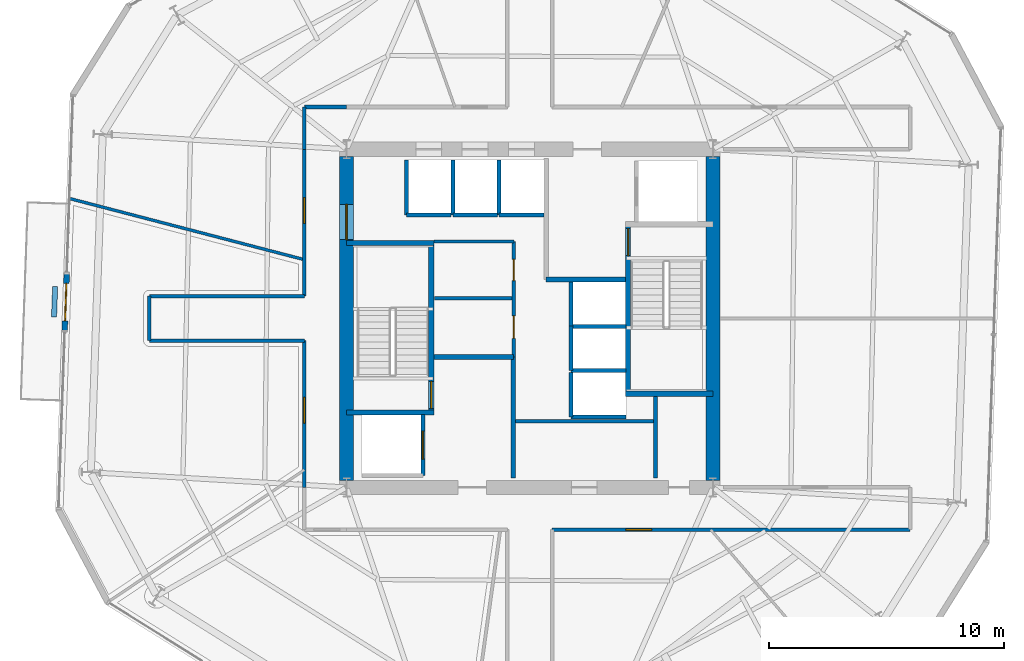
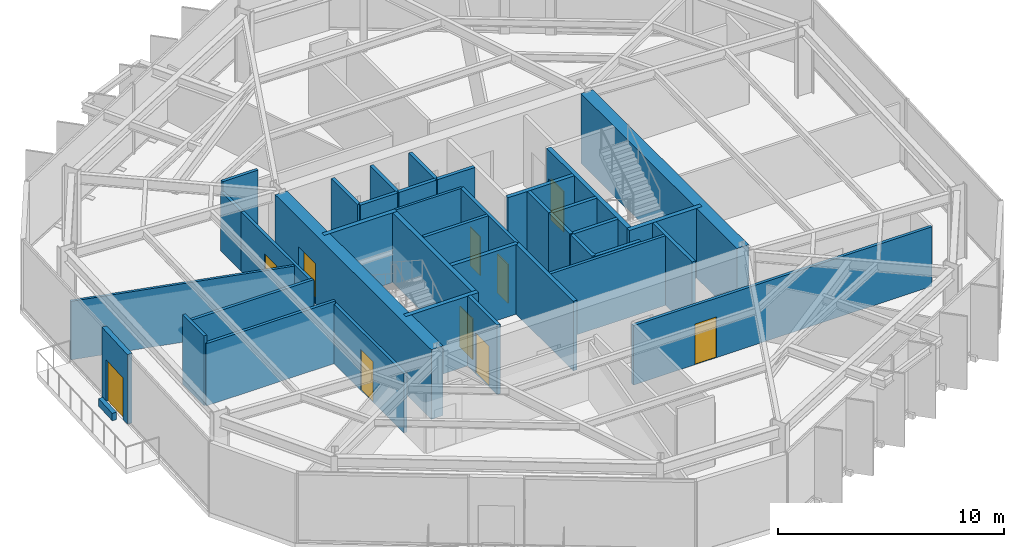
# One storey, part 7 of 12: 39 walls, 10 doors, 10 openings.
"""IFC4 building model written with IfcOpenShell, lengths in metres."""

from ifc_helpers import new_model, si_unit, direction, frame, frame_2d, origin, place, context, subcontext, project, spatial, rectangle, extrude, material, layer, layer_set, type_object, element, fill, save


model = new_model("IFC4")

# Units and contexts
model_context = context("Model", 3, precision=1e-05, world=origin(), true_north=direction((0.0, 1.0)))
body_context = subcontext(model_context, "Body", "Model", "MODEL_VIEW")
ifc_project = project(units=[si_unit("LENGTHUNIT", "METRE"), si_unit("AREAUNIT", "SQUARE_METRE"), si_unit("VOLUMEUNIT", "CUBIC_METRE"), si_unit("PLANEANGLEUNIT", "RADIAN"), si_unit("MASSUNIT", "GRAM", prefix="KILO")], contexts=[model_context])

# Site, building, storey
site_placement = place(None, origin())
site = spatial("IfcSite", under=ifc_project, at=site_placement, CompositionType="ELEMENT")
building_placement = place(site_placement, origin())
building = spatial("IfcBuilding", under=site, at=building_placement, Name="Kranzbogen Civic Tower", CompositionType="ELEMENT")
storey_placement = place(building_placement, frame((0.0, 0.0, 134.39990234375)))
storey = spatial("IfcBuildingStorey", under=building, at=storey_placement, Name="L32", CompositionType="ELEMENT", Elevation=134.39990234375)

# Wall
ifc_material_1 = material(Name="Double-Stud Acoustic Gypsum Partition")
ifc_layer_1 = layer(ifc_material_1, 0.14990234375, Name="Double-Stud Acoustic Gypsum Partition")
ifc_layer_set_1 = layer_set([ifc_layer_1], Name="Double-Stud Acoustic Gypsum Partition")
wall_type_1 = type_object("IfcWallType", Name="Acoustic Corridor and Clinical Partition 150 mm", PredefinedType="PARTITIONING", material=ifc_layer_set_1)
wall_1_placement = place(storey_placement, frame((24.39990234375, 20.610107421875, 0.0), z_axis=(0.0, 0.0, 1.0), x_axis=(1.0, 0.0, 0.0)))
element("IfcWall", 1, at=wall_1_placement, inside=storey, type_object=wall_type_1, Name="L32 records zone North wall", PredefinedType="PARTITIONING", context=body_context, shape_type="SweptSolid", body=[
    extrude(rectangle(XDim=5.900146484375, YDim=0.14990234375, at=frame_2d((2.9501953125, 0.0))), origin(), (0.0, 0.0, 1.0), 3.760009765625),
])

# Wall, opening, door
wall_2_placement = place(storey_placement, frame((15.39990234375, 17.800048828125, 0.0), z_axis=(0.0, 0.0, 1.0), x_axis=(0.0, 1.0, 0.0)))
wall_2 = element("IfcWall", 2, at=wall_2_placement, inside=storey, type_object=wall_type_1, Name="L32 corridor partition 03", PredefinedType="PARTITIONING", context=body_context, shape_type="SweptSolid", body=[
    extrude(rectangle(XDim=6.25, YDim=0.14990234375, at=frame_2d((3.125, 0.0))), origin(), (0.0, 0.0, 1.0), 3.210205078125),
])
opening_1_placement = place(wall_2_placement, frame((2.737060546875, 0.0, 0.0)))
opening_1 = element("IfcOpeningElement", 3, at=opening_1_placement, cuts=wall_2, Name="Opening D-COR60", PredefinedType="OPENING", context=body_context, shape_type="SweptSolid", body=[
    extrude(rectangle(XDim=1.10009765625, YDim=2.199951171875, at=frame_2d((0.550048828125, 1.10009765625))), frame((0.0, 0.0849609375, 0.0), z_axis=(0.0, -1.0, 0.0), x_axis=(1.0, 0.0, 0.0)), (0.0, 0.0, 1.0), 0.169921875),
])
ifc_material_2 = material(Name="Oak Timber and Fire Core", Category="wood")
door_type_1 = type_object("IfcDoorType", Name="Corridor Acoustic Fire Door 1100x2200", OperationType="NOTDEFINED", PredefinedType="DOOR", material=ifc_material_2)
door_1_placement = place(opening_1_placement, origin())
door_1 = element("IfcDoor", 4, at=door_1_placement, inside=storey, type_object=door_type_1, Name="L32 Executive Briefing Conference Room door", OperationType="SINGLE_SWING_LEFT", OverallHeight=2.199951171875, OverallWidth=1.10009765625, PredefinedType="DOOR", context=body_context, shape_type="SweptSolid", body=[
    extrude(rectangle(XDim=1.10009765625, YDim=2.199951171875, at=frame_2d((0.550048828125, 1.10009765625))), frame((0.0, 0.02490234375, 0.0), z_axis=(0.0, -1.0, 0.0), x_axis=(1.0, 0.0, 0.0)), (0.0, 0.0, 1.0), 0.050048828125),
])
fill(opening_1, door_1)

# Walls
wall_3_placement = place(storey_placement, frame((15.39990234375, 24.050048828125, 0.0), z_axis=(0.0, 0.0, 1.0), x_axis=(-1.0, 0.0, 0.0)))
element("IfcWall", 5, at=wall_3_placement, inside=storey, type_object=wall_type_1, Name="L32 corridor partition 04", PredefinedType="PARTITIONING", context=body_context, shape_type="SweptSolid", body=[
    extrude(rectangle(XDim=6.599853515625, YDim=0.14990234375, at=frame_2d((3.2998046875, 0.0))), origin(), (0.0, 0.0, 1.0), 3.360107421875),
])
wall_4_placement = place(storey_placement, frame((8.800048828125, 24.050048828125, 0.0), z_axis=(0.0, 0.0, 1.0), x_axis=(0.0, 1.0, 0.0)))
element("IfcWall", 6, at=wall_4_placement, inside=storey, type_object=wall_type_1, Name="L32 corridor partition 05", PredefinedType="PARTITIONING", context=body_context, shape_type="SweptSolid", body=[
    extrude(rectangle(XDim=1.89990234375, YDim=0.14990234375, at=frame_2d((0.949951171875, 0.0))), origin(), (0.0, 0.0, 1.0), 3.760009765625),
])
wall_5_placement = place(storey_placement, frame((8.800048828125, 25.949951171875, 0.0), z_axis=(0.0, 0.0, 1.0), x_axis=(1.0, 0.0, 0.0)))
element("IfcWall", 7, at=wall_5_placement, inside=storey, type_object=wall_type_1, Name="L32 corridor partition 06", PredefinedType="PARTITIONING", context=body_context, shape_type="SweptSolid", body=[
    extrude(rectangle(XDim=6.599853515625, YDim=0.14990234375, at=frame_2d((3.2998046875, 0.0))), origin(), (0.0, 0.0, 1.0), 3.360107421875),
])

# Wall, opening, door
wall_6_placement = place(storey_placement, frame((15.39990234375, 25.949951171875, 0.0), z_axis=(0.0, 0.0, 1.0), x_axis=(0.0, 1.0, 0.0)))
wall_6 = element("IfcWall", 8, at=wall_6_placement, inside=storey, type_object=wall_type_1, Name="L32 corridor partition 07", PredefinedType="PARTITIONING", context=body_context, shape_type="SweptSolid", body=[
    extrude(rectangle(XDim=6.25, YDim=0.14990234375, at=frame_2d((3.125, 0.0))), origin(), (0.0, 0.0, 1.0), 3.210205078125),
])
opening_2_placement = place(wall_6_placement, frame((3.089111328125, 0.0, 0.0)))
opening_2 = element("IfcOpeningElement", 9, at=opening_2_placement, cuts=wall_6, Name="Opening D-COR60", PredefinedType="OPENING", context=body_context, shape_type="SweptSolid", body=[
    extrude(rectangle(XDim=1.10009765625, YDim=2.199951171875, at=frame_2d((0.550048828125, 1.10009765625))), frame((0.0, 0.0849609375, 0.0), z_axis=(0.0, -1.0, 0.0), x_axis=(1.0, 0.0, 0.0)), (0.0, 0.0, 1.0), 0.169921875),
])
door_2_placement = place(opening_2_placement, origin())
door_2 = element("IfcDoor", 10, at=door_2_placement, inside=storey, type_object=door_type_1, Name="L32 Citizen Services Kiosk door", OperationType="SINGLE_SWING_LEFT", OverallHeight=2.199951171875, OverallWidth=1.10009765625, PredefinedType="DOOR", context=body_context, shape_type="SweptSolid", body=[
    extrude(rectangle(XDim=1.10009765625, YDim=2.199951171875, at=frame_2d((0.550048828125, 1.10009765625))), frame((0.0, 0.02490234375, 0.0), z_axis=(0.0, -1.0, 0.0), x_axis=(1.0, 0.0, 0.0)), (0.0, 0.0, 1.0), 0.050048828125),
])
fill(opening_2, door_2)

# Walls
wall_7_placement = place(storey_placement, frame((15.39990234375, 32.199951171875, 0.0), z_axis=(0.0, 0.0, 1.0), x_axis=(0.0, 1.0, 0.0)))
element("IfcWall", 11, at=wall_7_placement, inside=storey, type_object=wall_type_1, Name="L32 corridor partition 08", PredefinedType="PARTITIONING", context=body_context, shape_type="SweptSolid", body=[
    extrude(rectangle(XDim=1.800048828125, YDim=0.14990234375, at=frame_2d((0.89990234375, 0.0))), origin(), (0.0, 0.0, 1.0), 3.210205078125),
])
wall_8_placement = place(storey_placement, frame((15.39990234375, 34.0, 0.0), z_axis=(0.0, 0.0, 1.0), x_axis=(1.0, 0.0, 0.0)))
element("IfcWall", 12, at=wall_8_placement, inside=storey, type_object=wall_type_1, Name="L32 corridor partition 09", PredefinedType="PARTITIONING", context=body_context, shape_type="SweptSolid", body=[
    extrude(rectangle(XDim=1.800048828125, YDim=0.14990234375, at=frame_2d((0.89990234375, 0.0))), origin(), (0.0, 0.0, 1.0), 3.760009765625),
])

# Wall, opening, door
wall_9_placement = place(storey_placement, frame((41.199951171875, 16.0, 0.0), z_axis=(0.0, 0.0, 1.0), x_axis=(-1.0, 0.0, 0.0)))
wall_9 = element("IfcWall", 13, at=wall_9_placement, inside=storey, type_object=wall_type_1, Name="L32 corridor partition 19", PredefinedType="PARTITIONING", context=body_context, shape_type="SweptSolid", body=[
    extrude(rectangle(XDim=15.25, YDim=0.14990234375, at=frame_2d((7.625, 0.0))), origin(), (0.0, 0.0, 1.0), 3.210205078125),
])
opening_3_placement = place(wall_9_placement, frame((11.010009765625, 0.0, 0.0)))
opening_3 = element("IfcOpeningElement", 14, at=opening_3_placement, cuts=wall_9, Name="Opening D-COR60", PredefinedType="OPENING", context=body_context, shape_type="SweptSolid", body=[
    extrude(rectangle(XDim=1.10009765625, YDim=2.199951171875, at=frame_2d((0.550048828125, 1.10009765625))), frame((0.0, 0.0849609375, 0.0), z_axis=(0.0, -1.0, 0.0), x_axis=(1.0, 0.0, 0.0)), (0.0, 0.0, 1.0), 0.169921875),
])
door_3_placement = place(opening_3_placement, origin())
door_3 = element("IfcDoor", 15, at=door_3_placement, inside=storey, type_object=door_type_1, Name="L32 Policy Seminar Room door", OperationType="SINGLE_SWING_LEFT", OverallHeight=2.199951171875, OverallWidth=1.10009765625, PredefinedType="DOOR", context=body_context, shape_type="SweptSolid", body=[
    extrude(rectangle(XDim=1.10009765625, YDim=2.199951171875, at=frame_2d((0.550048828125, 1.10009765625))), frame((0.0, 0.02490234375, 0.0), z_axis=(0.0, -1.0, 0.0), x_axis=(1.0, 0.0, 0.0)), (0.0, 0.0, 1.0), 0.050048828125),
])
fill(opening_3, door_3)

# Walls
ifc_material_3 = material(Name="Insulated Metal-Stud Gypsum Partition")
ifc_layer_2 = layer(ifc_material_3, 0.125, Name="Insulated Metal-Stud Gypsum Partition")
ifc_layer_set_2 = layer_set([ifc_layer_2], Name="Insulated Metal-Stud Gypsum Partition")
wall_type_2 = type_object("IfcWallType", Name="Acoustic Inter-Room Partition 125 mm", PredefinedType="PARTITIONING", material=ifc_layer_set_2)
wall_10_placement = place(storey_placement, frame((20.919921875, 28.280029296875, 0.0), z_axis=(0.0, 0.0, 1.0), x_axis=(1.0, 0.0, 0.0)))
element("IfcWall", 16, at=wall_10_placement, inside=storey, type_object=wall_type_2, Name="L32 core auxiliary North wall", PredefinedType="PARTITIONING", context=body_context, shape_type="SweptSolid", body=[
    extrude(rectangle(XDim=3.405029296875, YDim=0.125, at=frame_2d((1.70263671875, 0.0))), origin(), (0.0, 0.0, 1.0), 3.760009765625),
])
wall_11_placement = place(storey_placement, frame((15.39990234375, 27.4990234375, 0.0), z_axis=(0.0, 0.0, 1.0), x_axis=(-0.96772970211, 0.251990522945, 0.0)))
element("IfcWall", 17, at=wall_11_placement, inside=storey, type_object=wall_type_2, Name="L32 radial room partition 03", PredefinedType="PARTITIONING", context=body_context, shape_type="SweptSolid", body=[
    extrude(rectangle(XDim=10.322021484375, YDim=0.125, at=frame_2d((5.1611328125, 0.0))), origin(), (0.0, 0.0, 1.0), 3.16015625),
])
ifc_material_4 = material(Name="Architectural Precast Terracotta Concrete C40/50", Category="masonry")
ifc_layer_3 = layer(ifc_material_4, 0.219970703125, Name="Architectural Precast Terracotta Concrete C40/50")
ifc_layer_set_3 = layer_set([ifc_layer_3], Name="Architectural Precast Terracotta Concrete C40/50")
wall_type_3 = type_object("IfcWallType", Name="Architectural Tree Planter Kerb Wall 220 mm", PredefinedType="USERDEFINED", material=ifc_layer_set_3)
wall_12_placement = place(storey_placement, frame((4.7890625, 26.35693359375, 0.0), z_axis=(0.0, 0.0, 1.0), x_axis=(-0.035470622719, -0.999370719465, 0.0)))
element("IfcWall", 18, at=wall_12_placement, inside=storey, type_object=wall_type_3, Name="L32 landscaped tree balcony planter L32-ST", ObjectType="PLANTER_WALL", PredefinedType="USERDEFINED", context=body_context, shape_type="SweptSolid", body=[
    extrude(rectangle(XDim=1.30078125, YDim=0.219970703125, at=frame_2d((0.650390625, 0.0))), origin(), (0.0, 0.0, 1.0), 0.400146484375),
])

# Wall, opening, door
ifc_material_5 = material(Name="Concrete C55/67", Category="concrete")
ifc_layer_4 = layer(ifc_material_5, 0.60009765625, Name="Concrete C55/67")
ifc_layer_set_4 = layer_set([ifc_layer_4], Name="Concrete C55/67")
wall_type_4 = type_object("IfcWallType", Name="Central Core Shear Wall 600 mm", PredefinedType="SHEAR", material=ifc_layer_set_4)
wall_13_placement = place(storey_placement, frame((17.199951171875, 31.89990234375, 0.0), z_axis=(0.0, 0.0, 1.0), x_axis=(0.0, -1.0, 0.0)))
wall_13 = element("IfcWall", 19, at=wall_13_placement, inside=storey, type_object=wall_type_4, Name="L32 central core West shear wall", PredefinedType="SHEAR", context=body_context, shape_type="SweptSolid", body=[
    extrude(rectangle(XDim=13.7998046875, YDim=0.60009765625, at=frame_2d((6.89990234375, 0.0))), origin(), (0.0, 0.0, 1.0), 3.760009765625),
])
opening_4_placement = place(wall_13_placement, frame((2.050048828125, 0.0, 0.0)))
opening_4 = element("IfcOpeningElement", 20, at=opening_4_placement, cuts=wall_13, Name="Opening D-DBL15", PredefinedType="OPENING", context=body_context, shape_type="SweptSolid", body=[
    extrude(rectangle(XDim=1.5, YDim=2.199951171875, at=frame_2d((0.75, 1.10009765625))), frame((0.0, 0.31005859375, 0.0), z_axis=(0.0, -1.0, 0.0), x_axis=(1.0, 0.0, 0.0)), (0.0, 0.0, 1.0), 0.6201171875),
])
ifc_material_6 = material(Name="Anodised Bronze and Glass", Category="glass")
door_type_2 = type_object("IfcDoorType", Name="Civic Lobby Double Door 1500x2200", OperationType="DOUBLE_DOOR_SINGLE_SWING", PredefinedType="DOOR", material=ifc_material_6)
door_4_placement = place(opening_4_placement, origin())
door_4 = element("IfcDoor", 21, at=door_4_placement, inside=storey, type_object=door_type_2, Name="L32 Central Lift Lobby West concourse door", OperationType="DOUBLE_DOOR_SINGLE_SWING", OverallHeight=2.199951171875, OverallWidth=1.5, PredefinedType="DOOR", context=body_context, shape_type="SweptSolid", body=[
    extrude(rectangle(XDim=1.5, YDim=2.199951171875, at=frame_2d((0.75, 1.10009765625))), frame((0.0, 0.02490234375, 0.0), z_axis=(0.0, -1.0, 0.0), x_axis=(1.0, 0.0, 0.0)), (0.0, 0.0, 1.0), 0.050048828125),
])
fill(opening_4, door_4)

# Wall
wall_14_placement = place(storey_placement, frame((32.800048828125, 18.10009765625, 0.0), z_axis=(0.0, 0.0, 1.0), x_axis=(0.0, 1.0, 0.0)))
element("IfcWall", 22, at=wall_14_placement, inside=storey, type_object=wall_type_4, Name="L32 central core East shear wall", PredefinedType="SHEAR", context=body_context, shape_type="SweptSolid", body=[
    extrude(rectangle(XDim=13.7998046875, YDim=0.60009765625, at=frame_2d((6.89990234375, 0.0))), origin(), (0.0, 0.0, 1.0), 3.760009765625),
])

# Wall, opening, door
ifc_material_7 = material(Name="Concrete C45/55", Category="concrete")
ifc_layer_5 = layer(ifc_material_7, 0.219970703125, Name="Concrete C45/55")
ifc_layer_set_5 = layer_set([ifc_layer_5], Name="Concrete C45/55")
wall_type_5 = type_object("IfcWallType", Name="Core Internal Stair Structural Wall 220 mm", PredefinedType="SOLIDWALL", material=ifc_layer_set_5)
wall_15_placement = place(storey_placement, frame((20.81005859375, 20.989990234375, 0.0), z_axis=(0.0, 0.0, 1.0), x_axis=(0.0, 1.0, 0.0)))
wall_15 = element("IfcWall", 23, at=wall_15_placement, inside=storey, type_object=wall_type_5, Name="L32 ST-T1 East structural stair wall", PredefinedType="SOLIDWALL", context=body_context, shape_type="SweptSolid", body=[
    extrude(rectangle(XDim=7.219970703125, YDim=0.219970703125, at=frame_2d((3.60986328125, 0.0))), origin(), (0.0, 0.0, 1.0), 3.760009765625),
])
opening_5_placement = place(wall_15_placement, frame((0.179931640625, 0.0, 0.0)))
opening_5 = element("IfcOpeningElement", 24, at=opening_5_placement, cuts=wall_15, Name="Opening D-ST90", PredefinedType="OPENING", context=body_context, shape_type="SweptSolid", body=[
    extrude(rectangle(XDim=1.14990234375, YDim=2.199951171875, at=frame_2d((0.574951171875, 1.10009765625))), frame((0.0, 0.1201171875, 0.0), z_axis=(0.0, -1.0, 0.0), x_axis=(1.0, 0.0, 0.0)), (0.0, 0.0, 1.0), 0.239990234375),
])
ifc_material_8 = material(Name="Steel S355", Category="steel")
door_type_3 = type_object("IfcDoorType", Name="Pressurized Stair and Lobby Fire Door 1150x2200", OperationType="NOTDEFINED", PredefinedType="DOOR", material=ifc_material_8)
door_5_placement = place(opening_5_placement, origin())
door_5 = element("IfcDoor", 25, at=door_5_placement, inside=storey, type_object=door_type_3, Name="L32 Stair ST-T1 fire door", OperationType="SINGLE_SWING_LEFT", OverallHeight=2.199951171875, OverallWidth=1.14990234375, PredefinedType="DOOR", context=body_context, shape_type="SweptSolid", body=[
    extrude(rectangle(XDim=1.14990234375, YDim=2.199951171875, at=frame_2d((0.574951171875, 1.10009765625))), frame((0.0, 0.02490234375, 0.0), z_axis=(0.0, -1.0, 0.0), x_axis=(1.0, 0.0, 0.0)), (0.0, 0.0, 1.0), 0.050048828125),
])
fill(opening_5, door_5)

# Walls
for number, where, z_axis, x_axis, name in (
    (26, (17.199951171875, 20.989990234375, 0.0), (0.0, 0.0, 1.0), (1.0, 0.0, 0.0), "L32 ST-T1 South structural stair wall"),
    (27, (17.199951171875, 28.2099609375, 0.0), (0.0, 0.0, 1.0), (1.0, 0.0, 0.0), "L32 ST-T1 North structural stair wall"),
):
    element("IfcWall", number, at=place(storey_placement, frame(where, z_axis=z_axis, x_axis=x_axis)), inside=storey, type_object=wall_type_5, Name=name, PredefinedType="SOLIDWALL", context=body_context, shape_type="SweptSolid", body=[
        extrude(rectangle(XDim=3.719970703125, YDim=0.219970703125, at=frame_2d((1.85986328125, 0.0))), origin(), (0.0, 0.0, 1.0), 3.760009765625),
    ])

# Wall, opening, door
wall_16_placement = place(storey_placement, frame((29.18994140625, 21.7900390625, 0.0), z_axis=(0.0, 0.0, 1.0), x_axis=(0.0, 1.0, 0.0)))
wall_16 = element("IfcWall", 28, at=wall_16_placement, inside=storey, type_object=wall_type_5, Name="L32 ST-T2 West structural stair wall", PredefinedType="SOLIDWALL", context=body_context, shape_type="SweptSolid", body=[
    extrude(rectangle(XDim=7.219970703125, YDim=0.219970703125, at=frame_2d((3.60986328125, 0.0))), origin(), (0.0, 0.0, 1.0), 3.760009765625),
])
opening_6_placement = place(wall_16_placement, frame((5.8798828125, 0.0, 0.0)))
opening_6 = element("IfcOpeningElement", 29, at=opening_6_placement, cuts=wall_16, Name="Opening D-ST90", PredefinedType="OPENING", context=body_context, shape_type="SweptSolid", body=[
    extrude(rectangle(XDim=1.14990234375, YDim=2.199951171875, at=frame_2d((0.574951171875, 1.10009765625))), frame((0.0, 0.1201171875, 0.0), z_axis=(0.0, -1.0, 0.0), x_axis=(1.0, 0.0, 0.0)), (0.0, 0.0, 1.0), 0.239990234375),
])
door_6_placement = place(opening_6_placement, origin())
door_6 = element("IfcDoor", 30, at=door_6_placement, inside=storey, type_object=door_type_3, Name="L32 Stair ST-T2 fire door", OperationType="SINGLE_SWING_RIGHT", OverallHeight=2.199951171875, OverallWidth=1.14990234375, PredefinedType="DOOR", context=body_context, shape_type="SweptSolid", body=[
    extrude(rectangle(XDim=1.14990234375, YDim=2.199951171875, at=frame_2d((0.574951171875, 1.10009765625))), frame((0.0, 0.02490234375, 0.0), z_axis=(0.0, -1.0, 0.0), x_axis=(1.0, 0.0, 0.0)), (0.0, 0.0, 1.0), 0.050048828125),
])
fill(opening_6, door_6)

# Walls
wall_17_placement = place(storey_placement, frame((29.080078125, 21.7900390625, 0.0), z_axis=(0.0, 0.0, 1.0), x_axis=(1.0, 0.0, 0.0)))
element("IfcWall", 31, at=wall_17_placement, inside=storey, type_object=wall_type_5, Name="L32 ST-T2 South structural stair wall", PredefinedType="SOLIDWALL", context=body_context, shape_type="SweptSolid", body=[
    extrude(rectangle(XDim=3.719970703125, YDim=0.219970703125, at=frame_2d((1.85986328125, 0.0))), origin(), (0.0, 0.0, 1.0), 3.760009765625),
])
ifc_material_9 = material(Name="Gypsum Fireboard and Concrete Block", Category="concrete")
ifc_layer_6 = layer(ifc_material_9, 0.199951171875, Name="Gypsum Fireboard and Concrete Block")
ifc_layer_set_6 = layer_set([ifc_layer_6], Name="Gypsum Fireboard and Concrete Block")
wall_type_6 = type_object("IfcWallType", Name="Fire-Rated Exit Passageway and Stair Wall 200 mm", PredefinedType="PARTITIONING", material=ifc_layer_set_6)
wall_18_placement = place(storey_placement, frame((24.300048828125, 18.199951171875, 0.0), z_axis=(0.0, 0.0, 1.0), x_axis=(0.0, 1.0, 0.0)))
element("IfcWall", 32, at=wall_18_placement, inside=storey, type_object=wall_type_6, Name="L32 West firefighting lobby East wall", PredefinedType="PARTITIONING", context=body_context, shape_type="SweptSolid", body=[
    extrude(rectangle(XDim=5.150146484375, YDim=0.199951171875, at=frame_2d((2.5751953125, 0.0))), origin(), (0.0, 0.0, 1.0), 3.760009765625),
])
for number, where, z_axis, x_axis, name in (
    (33, (20.919921875, 23.35009765625, 0.0), (0.0, 0.0, 1.0), (1.0, 0.0, 0.0), "L32 West firefighting lobby North wall"),
    (34, (25.699951171875, 26.64990234375, 0.0), (0.0, 0.0, 1.0), (1.0, 0.0, 0.0), "L32 East firefighting lobby South wall"),
):
    element("IfcWall", number, at=place(storey_placement, frame(where, z_axis=z_axis, x_axis=x_axis)), inside=storey, type_object=wall_type_6, Name=name, PredefinedType="PARTITIONING", context=body_context, shape_type="SweptSolid", body=[
        extrude(rectangle(XDim=3.380126953125, YDim=0.199951171875, at=frame_2d((1.68994140625, 0.0))), origin(), (0.0, 0.0, 1.0), 3.760009765625),
    ])
ifc_material_10 = material(Name="Gypsum Fireboard Shaftliner")
ifc_layer_7 = layer(ifc_material_10, 0.175048828125, Name="Gypsum Fireboard Shaftliner")
ifc_layer_set_7 = layer_set([ifc_layer_7], Name="Gypsum Fireboard Shaftliner")
wall_type_7 = type_object("IfcWallType", Name="Fire-Rated Lift and Service Shaft Wall 175 mm", PredefinedType="PARTITIONING", material=ifc_layer_set_7)
wall_19_placement = place(storey_placement, frame((30.35009765625, 18.199951171875, 0.0), z_axis=(0.0, 0.0, 1.0), x_axis=(0.0, 1.0, 0.0)))
element("IfcWall", 35, at=wall_19_placement, inside=storey, type_object=wall_type_7, Name="L32 East core riser West wall", PredefinedType="PARTITIONING", context=body_context, shape_type="SweptSolid", body=[
    extrude(rectangle(XDim=3.47998046875, YDim=0.175048828125, at=frame_2d((1.739990234375, 0.0))), origin(), (0.0, 0.0, 1.0), 3.760009765625),
])
wall_20_placement = place(storey_placement, frame((19.75, 29.39990234375, 0.0), z_axis=(0.0, 0.0, 1.0), x_axis=(1.0, 0.0, 0.0)))
element("IfcWall", 36, at=wall_20_placement, inside=storey, type_object=wall_type_7, Name="L32 lift MP-01 rear wall", PredefinedType="PARTITIONING", context=body_context, shape_type="SweptSolid", body=[
    extrude(rectangle(XDim=1.89990234375, YDim=0.175048828125, at=frame_2d((0.949951171875, 0.0))), origin(), (0.0, 0.0, 1.0), 3.760009765625),
])
wall_21_placement = place(storey_placement, frame((19.75, 29.39990234375, 0.0), z_axis=(0.0, 0.0, 1.0), x_axis=(0.0, 1.0, 0.0)))
element("IfcWall", 37, at=wall_21_placement, inside=storey, type_object=wall_type_7, Name="L32 lift MP-01 side wall", PredefinedType="PARTITIONING", context=body_context, shape_type="SweptSolid", body=[
    extrude(rectangle(XDim=2.35009765625, YDim=0.175048828125, at=frame_2d((1.175048828125, 0.0))), origin(), (0.0, 0.0, 1.0), 3.760009765625),
])
wall_22_placement = place(storey_placement, frame((21.72509765625, 29.39990234375, 0.0), z_axis=(0.0, 0.0, 1.0), x_axis=(1.0, 0.0, 0.0)))
element("IfcWall", 38, at=wall_22_placement, inside=storey, type_object=wall_type_7, Name="L32 lift MP-02 rear wall", PredefinedType="PARTITIONING", context=body_context, shape_type="SweptSolid", body=[
    extrude(rectangle(XDim=1.89990234375, YDim=0.175048828125, at=frame_2d((0.949951171875, 0.0))), origin(), (0.0, 0.0, 1.0), 3.760009765625),
])
wall_23_placement = place(storey_placement, frame((21.72509765625, 29.39990234375, 0.0), z_axis=(0.0, 0.0, 1.0), x_axis=(0.0, 1.0, 0.0)))
element("IfcWall", 39, at=wall_23_placement, inside=storey, type_object=wall_type_7, Name="L32 lift MP-02 side wall", PredefinedType="PARTITIONING", context=body_context, shape_type="SweptSolid", body=[
    extrude(rectangle(XDim=2.35009765625, YDim=0.175048828125, at=frame_2d((1.175048828125, 0.0))), origin(), (0.0, 0.0, 1.0), 3.760009765625),
])
wall_24_placement = place(storey_placement, frame((23.699951171875, 29.39990234375, 0.0), z_axis=(0.0, 0.0, 1.0), x_axis=(1.0, 0.0, 0.0)))
element("IfcWall", 40, at=wall_24_placement, inside=storey, type_object=wall_type_7, Name="L32 lift MP-03 rear wall", PredefinedType="PARTITIONING", context=body_context, shape_type="SweptSolid", body=[
    extrude(rectangle(XDim=1.900146484375, YDim=0.175048828125, at=frame_2d((0.9501953125, 0.0))), origin(), (0.0, 0.0, 1.0), 3.760009765625),
])
wall_25_placement = place(storey_placement, frame((23.699951171875, 29.39990234375, 0.0), z_axis=(0.0, 0.0, 1.0), x_axis=(0.0, 1.0, 0.0)))
element("IfcWall", 41, at=wall_25_placement, inside=storey, type_object=wall_type_7, Name="L32 lift MP-03 side wall", PredefinedType="PARTITIONING", context=body_context, shape_type="SweptSolid", body=[
    extrude(rectangle(XDim=2.35009765625, YDim=0.175048828125, at=frame_2d((1.175048828125, 0.0))), origin(), (0.0, 0.0, 1.0), 3.760009765625),
])
wall_26_placement = place(storey_placement, frame((26.75, 20.800048828125, 0.0), z_axis=(0.0, 0.0, 1.0), x_axis=(0.0, 1.0, 0.0)))
element("IfcWall", 42, at=wall_26_placement, inside=storey, type_object=wall_type_7, Name="L32 lift HP-01 landing wall", PredefinedType="PARTITIONING", context=body_context, shape_type="SweptSolid", body=[
    extrude(rectangle(XDim=1.89990234375, YDim=0.175048828125, at=frame_2d((0.949951171875, 0.0))), origin(), (0.0, 0.0, 1.0), 3.760009765625),
])
wall_27_placement = place(storey_placement, frame((26.75, 20.800048828125, 0.0), z_axis=(0.0, 0.0, 1.0), x_axis=(1.0, 0.0, 0.0)))
element("IfcWall", 43, at=wall_27_placement, inside=storey, type_object=wall_type_7, Name="L32 lift HP-01 side wall", PredefinedType="PARTITIONING", context=body_context, shape_type="SweptSolid", body=[
    extrude(rectangle(XDim=2.35009765625, YDim=0.175048828125, at=frame_2d((1.175048828125, 0.0))), origin(), (0.0, 0.0, 1.0), 3.760009765625),
])
wall_28_placement = place(storey_placement, frame((26.75, 22.77490234375, 0.0), z_axis=(0.0, 0.0, 1.0), x_axis=(0.0, 1.0, 0.0)))
element("IfcWall", 44, at=wall_28_placement, inside=storey, type_object=wall_type_7, Name="L32 lift HP-02 landing wall", PredefinedType="PARTITIONING", context=body_context, shape_type="SweptSolid", body=[
    extrude(rectangle(XDim=1.900146484375, YDim=0.175048828125, at=frame_2d((0.9501953125, 0.0))), origin(), (0.0, 0.0, 1.0), 3.760009765625),
])
wall_29_placement = place(storey_placement, frame((26.75, 22.77490234375, 0.0), z_axis=(0.0, 0.0, 1.0), x_axis=(1.0, 0.0, 0.0)))
element("IfcWall", 45, at=wall_29_placement, inside=storey, type_object=wall_type_7, Name="L32 lift HP-02 side wall", PredefinedType="PARTITIONING", context=body_context, shape_type="SweptSolid", body=[
    extrude(rectangle(XDim=2.35009765625, YDim=0.175048828125, at=frame_2d((1.175048828125, 0.0))), origin(), (0.0, 0.0, 1.0), 3.760009765625),
])
wall_30_placement = place(storey_placement, frame((26.75, 24.64990234375, 0.0), z_axis=(0.0, 0.0, 1.0), x_axis=(0.0, 1.0, 0.0)))
element("IfcWall", 46, at=wall_30_placement, inside=storey, type_object=wall_type_7, Name="L32 lift HP-03 landing wall", PredefinedType="PARTITIONING", context=body_context, shape_type="SweptSolid", body=[
    extrude(rectangle(XDim=1.900146484375, YDim=0.175048828125, at=frame_2d((0.9501953125, 0.0))), origin(), (0.0, 0.0, 1.0), 3.760009765625),
])
wall_31_placement = place(storey_placement, frame((26.75, 24.64990234375, 0.0), z_axis=(0.0, 0.0, 1.0), x_axis=(1.0, 0.0, 0.0)))
element("IfcWall", 47, at=wall_31_placement, inside=storey, type_object=wall_type_7, Name="L32 lift HP-03 side wall", PredefinedType="PARTITIONING", context=body_context, shape_type="SweptSolid", body=[
    extrude(rectangle(XDim=2.35009765625, YDim=0.175048828125, at=frame_2d((1.175048828125, 0.0))), origin(), (0.0, 0.0, 1.0), 3.760009765625),
])

# Wall, opening, door
wall_32_placement = place(storey_placement, frame((20.449951171875, 18.300048828125, 0.0), z_axis=(0.0, 0.0, 1.0), x_axis=(0.0, 1.0, 0.0)))
wall_32 = element("IfcWall", 48, at=wall_32_placement, inside=storey, type_object=wall_type_7, Name="L32 lift FF-01 landing wall", PredefinedType="PARTITIONING", context=body_context, shape_type="SweptSolid", body=[
    extrude(rectangle(XDim=2.599853515625, YDim=0.175048828125, at=frame_2d((1.2998046875, 0.0))), origin(), (0.0, 0.0, 1.0), 3.760009765625),
])
opening_7_placement = place(wall_32_placement, frame((0.699951171875, 0.0, 0.0)))
opening_7 = element("IfcOpeningElement", 49, at=opening_7_placement, cuts=wall_32, Name="Opening LD-FF-01", PredefinedType="OPENING", context=body_context, shape_type="SweptSolid", body=[
    extrude(rectangle(XDim=1.199951171875, YDim=2.199951171875, at=frame_2d((0.60009765625, 1.10009765625))), frame((0.0, 0.09765625, 0.0), z_axis=(0.0, -1.0, 0.0), x_axis=(1.0, 0.0, 0.0)), (0.0, 0.0, 1.0), 0.195068359375),
])
ifc_material_11 = material(Name="Pale Anodised Aluminium", Category="aluminium")
door_type_4 = type_object("IfcDoorType", Name="Firefighting and Stretcher Lift Sliding Landing Door 1200x2200", OperationType="DOUBLE_DOOR_SLIDING", PredefinedType="DOOR", material=ifc_material_11)
door_7_placement = place(opening_7_placement, origin())
door_7 = element("IfcDoor", 50, at=door_7_placement, inside=storey, type_object=door_type_4, Name="L32 lift FF-01 sliding landing door", OperationType="DOUBLE_DOOR_SLIDING", OverallHeight=2.199951171875, OverallWidth=1.199951171875, PredefinedType="DOOR", context=body_context, shape_type="SweptSolid", body=[
    extrude(rectangle(XDim=1.199951171875, YDim=2.199951171875, at=frame_2d((0.60009765625, 1.10009765625))), frame((0.0, 0.02490234375, 0.0), z_axis=(0.0, -1.0, 0.0), x_axis=(1.0, 0.0, 0.0)), (0.0, 0.0, 1.0), 0.050048828125),
])
fill(opening_7, door_7)

ifc_layer_8 = layer(ifc_material_11, 0.239990234375, Name="Pale Anodised Aluminium")
ifc_layer_set_8 = layer_set([ifc_layer_8], Name="Pale Anodised Aluminium")
wall_type_8 = type_object("IfcWallType", Name="Insulated Aluminium Facade Portal Wall 240 mm", PredefinedType="STANDARD", material=ifc_layer_set_8)
wall_33_placement = place(storey_placement, frame((5.281982421875, 26.888916015625, 0.0), z_axis=(0.0, 0.0, 1.0), x_axis=(-0.03498772474, -0.999387742129, 0.0)))
wall_33 = element("IfcWall", 51, at=wall_33_placement, inside=storey, type_object=wall_type_8, Name="L32 exterior entrance portal wall 1", PredefinedType="STANDARD", context=body_context, shape_type="SweptSolid", body=[
    extrude(rectangle(XDim=2.400390625, YDim=0.239990234375, at=frame_2d((1.2001953125, 0.0))), origin(), (0.0, 0.0, 1.0), 3.760009765625),
])
opening_8_placement = place(wall_33_placement, frame((0.39990234375, 0.0, 0.0)))
opening_8 = element("IfcOpeningElement", 52, at=opening_8_placement, cuts=wall_33, Name="Opening D-TER", PredefinedType="OPENING", context=body_context, shape_type="SweptSolid", body=[
    extrude(rectangle(XDim=1.60009765625, YDim=2.25, at=frame_2d((0.800048828125, 1.125))), frame((0.0, 0.1298828125, 0.0), z_axis=(0.0, -1.0, 0.0), x_axis=(1.0, 0.0, 0.0)), (0.0, 0.0, 1.0), 0.260009765625),
])
ifc_material_12 = material(Name="Anodised Bronze and Triple Glass", Category="glass")
door_type_5 = type_object("IfcDoorType", Name="Glazed Terrace and Balcony Double Door 1600x2250", OperationType="DOUBLE_DOOR_SINGLE_SWING", PredefinedType="DOOR", material=ifc_material_12)
door_8_placement = place(opening_8_placement, frame((1.60009765625, 0.0, 0.0), z_axis=(0.0, 0.0, 1.0), x_axis=(-1.0, 0.0, 0.0)))
door_8 = element("IfcDoor", 53, at=door_8_placement, inside=storey, type_object=door_type_5, Name="L32 spiral terrace access door L32-ST", OperationType="DOUBLE_DOOR_SINGLE_SWING", OverallHeight=2.25, OverallWidth=1.60009765625, PredefinedType="DOOR", context=body_context, shape_type="SweptSolid", body=[
    extrude(rectangle(XDim=1.60009765625, YDim=2.25, at=frame_2d((0.800048828125, 1.125))), frame((0.0, 0.02490234375, 0.0), z_axis=(0.0, -1.0, 0.0), x_axis=(1.0, 0.0, 0.0)), (0.0, 0.0, 1.0), 0.050048828125),
])
fill(opening_8, door_8)

# Wall, openings, doors
ifc_material_13 = material(Name="Moisture-Resistant Gypsum Assembly")
ifc_layer_9 = layer(ifc_material_13, 0.159912109375, Name="Moisture-Resistant Gypsum Assembly")
ifc_layer_set_9 = layer_set([ifc_layer_9], Name="Moisture-Resistant Gypsum Assembly")
wall_type_9 = type_object("IfcWallType", Name="Sanitary and Plumbing Wet Wall 160 mm", PredefinedType="PLUMBINGWALL", material=ifc_layer_set_9)
wall_34_placement = place(storey_placement, frame((24.324951171875, 23.35009765625, 0.0), z_axis=(0.0, 0.0, 1.0), x_axis=(0.0, 1.0, 0.0)))
wall_34 = element("IfcWall", 54, at=wall_34_placement, inside=storey, type_object=wall_type_9, Name="L32 core auxiliary East wall", PredefinedType="PLUMBINGWALL", context=body_context, shape_type="SweptSolid", body=[
    extrude(rectangle(XDim=4.929931640625, YDim=0.159912109375, at=frame_2d((2.46484375, 0.0))), origin(), (0.0, 0.0, 1.0), 3.760009765625),
])
opening_9_placement = place(wall_34_placement, frame((0.800048828125, 0.0, 0.0)))
opening_9 = element("IfcOpeningElement", 55, at=opening_9_placement, cuts=wall_34, Name="Opening D-AWC95", PredefinedType="OPENING", context=body_context, shape_type="SweptSolid", body=[
    extrude(rectangle(XDim=0.949951171875, YDim=2.10009765625, at=frame_2d((0.47509765625, 1.050048828125))), frame((0.0, 0.08984375, 0.0), z_axis=(0.0, -1.0, 0.0), x_axis=(1.0, 0.0, 0.0)), (0.0, 0.0, 1.0), 0.179931640625),
])
opening_10_placement = place(wall_34_placement, frame((3.260009765625, 0.0, 0.0)))
opening_10 = element("IfcOpeningElement", 56, at=opening_10_placement, cuts=wall_34, Name="Opening D-WC90", PredefinedType="OPENING", context=body_context, shape_type="SweptSolid", body=[
    extrude(rectangle(XDim=0.89990234375, YDim=2.10009765625, at=frame_2d((0.449951171875, 1.050048828125))), frame((0.0, 0.08984375, 0.0), z_axis=(0.0, -1.0, 0.0), x_axis=(1.0, 0.0, 0.0)), (0.0, 0.0, 1.0), 0.179931640625),
])
ifc_material_14 = material(Name="Moisture-Resistant Laminate")
door_type_6 = type_object("IfcDoorType", Name="Accessible Restroom Door 950x2100", OperationType="NOTDEFINED", PredefinedType="DOOR", material=ifc_material_14)
door_9_placement = place(opening_9_placement, origin())
door_9 = element("IfcDoor", 57, at=door_9_placement, inside=storey, type_object=door_type_6, Name="L32 Accessible Restroom door", OperationType="SINGLE_SWING_LEFT", OverallHeight=2.10009765625, OverallWidth=0.949951171875, PredefinedType="DOOR", context=body_context, shape_type="SweptSolid", body=[
    extrude(rectangle(XDim=0.949951171875, YDim=2.10009765625, at=frame_2d((0.47509765625, 1.050048828125))), frame((0.0, 0.02490234375, 0.0), z_axis=(0.0, -1.0, 0.0), x_axis=(1.0, 0.0, 0.0)), (0.0, 0.0, 1.0), 0.050048828125),
])
fill(opening_9, door_9)
door_type_7 = type_object("IfcDoorType", Name="Standard Restroom and Store Door 900x2100", OperationType="NOTDEFINED", PredefinedType="DOOR", material=ifc_material_14)
door_10_placement = place(opening_10_placement, origin())
door_10 = element("IfcDoor", 58, at=door_10_placement, inside=storey, type_object=door_type_7, Name="L32 Staff Restroom door", OperationType="SINGLE_SWING_RIGHT", OverallHeight=2.10009765625, OverallWidth=0.89990234375, PredefinedType="DOOR", context=body_context, shape_type="SweptSolid", body=[
    extrude(rectangle(XDim=0.89990234375, YDim=2.10009765625, at=frame_2d((0.449951171875, 1.050048828125))), frame((0.0, 0.02490234375, 0.0), z_axis=(0.0, -1.0, 0.0), x_axis=(1.0, 0.0, 0.0)), (0.0, 0.0, 1.0), 0.050048828125),
])
fill(opening_10, door_10)

# Wall
wall_35_placement = place(storey_placement, frame((20.949951171875, 25.860107421875, 0.0), z_axis=(0.0, 0.0, 1.0), x_axis=(1.0, 0.0, 0.0)))
element("IfcWall", 59, at=wall_35_placement, inside=storey, type_object=wall_type_9, Name="L32 core auxiliary partition 1", PredefinedType="PLUMBINGWALL", context=body_context, shape_type="SweptSolid", body=[
    extrude(rectangle(XDim=3.300048828125, YDim=0.159912109375, at=frame_2d((1.64990234375, 0.0))), origin(), (0.0, 0.0, 1.0), 3.760009765625),
])

save(model, "model.ifc")
